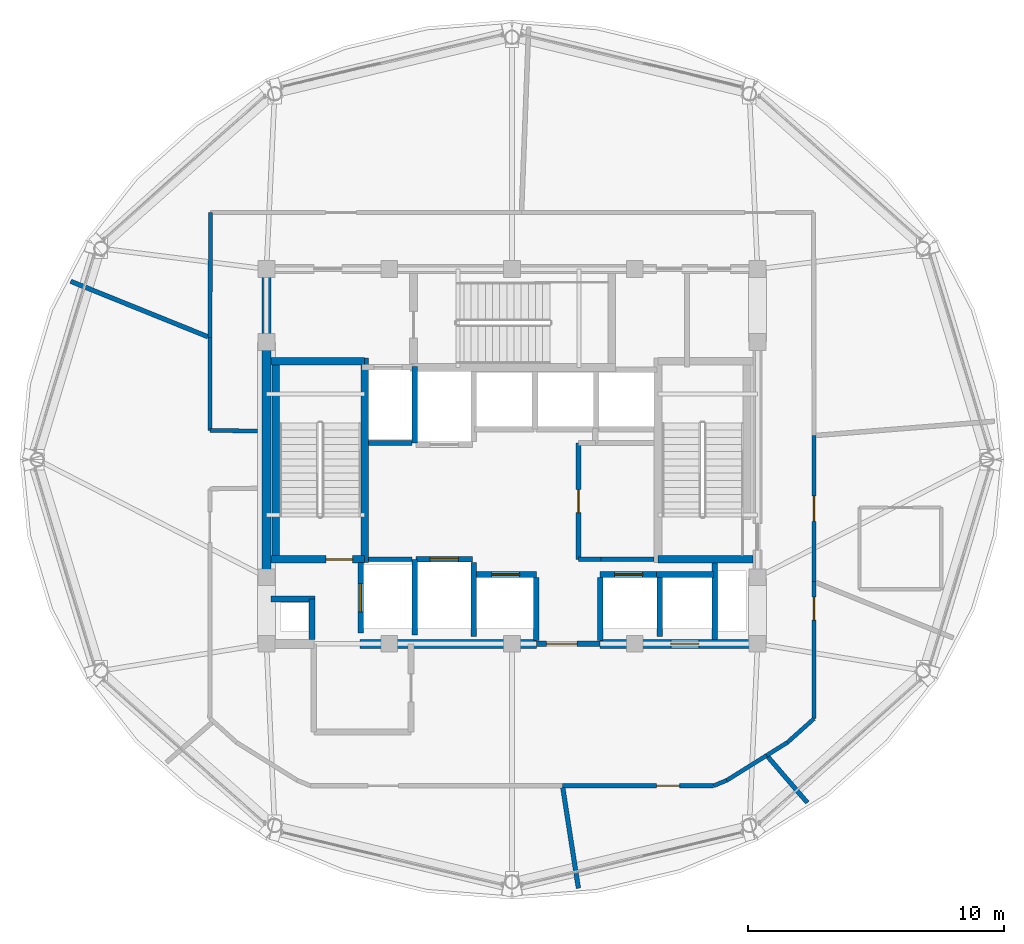
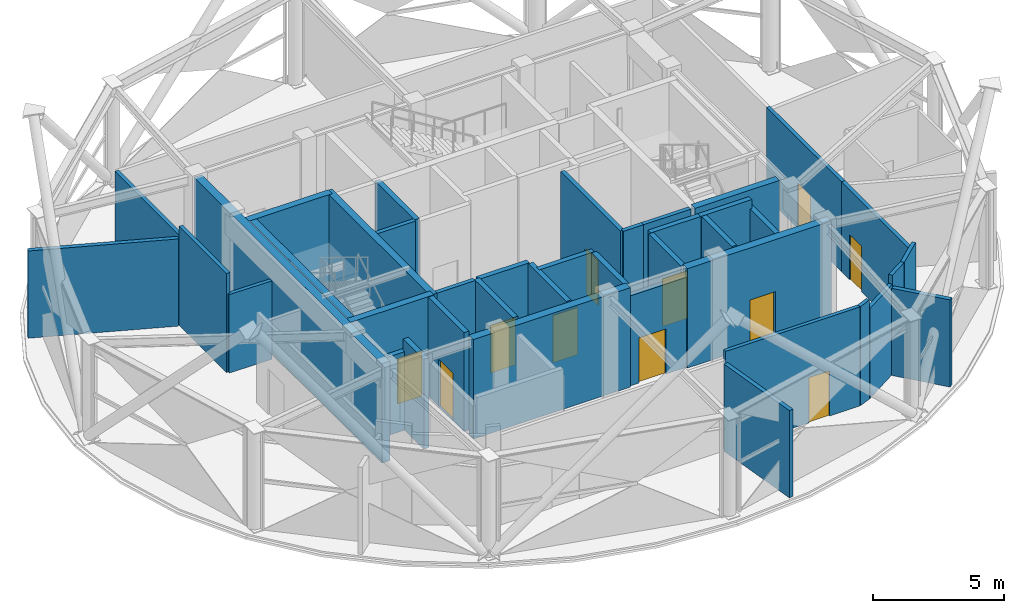
# One storey, part 21 of 27: 41 walls, 11 doors, 11 openings.
"""IFC4 building model written with IfcOpenShell, lengths in metres."""

import ifcopenshell
import ifcopenshell.guid

model = None  # the IFC model being written
_history = None  # IfcOwnerHistory: only IFC2X3 demands one
_inside = {}  # id of a spatial element -> (the spatial element, [elements in it])
_under = {}  # id of a project, library or spatial element -> (it, [spatial elements below it])
_declared = {}  # id of a project -> (the project, [libraries it declares])
_typed = {}  # id of a type object -> (the type object, [elements of that type])
_made_of = {}  # id of a material, layer set ... -> (it, [elements and type objects made of it])


def new_model(schema):
    """Start an empty IFC model of exactly this schema.

    Asked for "IFC4X3", IfcOpenShell would pick the latest addendum, in which some entities
    have other attributes; the version numbers below select the first issue.
    IFC2X3 requires an IfcOwnerHistory on every rooted entity: one is made here for all.
    """
    global model, _history
    if schema == "IFC4X3":
        model = ifcopenshell.file(schema_version=(4, 3, 0, 0))
    else:
        model = ifcopenshell.file(schema=schema)
    _inside.clear()
    _under.clear()
    _declared.clear()
    _typed.clear()
    _made_of.clear()
    _history = None
    if model.schema == "IFC2X3":
        org = make("IfcOrganization", Name="unknown")
        user = make(
            "IfcPersonAndOrganization",
            ThePerson=make("IfcPerson", FamilyName="unknown"),
            TheOrganization=org,
        )
        app = make(
            "IfcApplication",
            ApplicationDeveloper=org,
            Version="unknown",
            ApplicationFullName="unknown",
            ApplicationIdentifier="unknown",
        )
        _history = make(
            "IfcOwnerHistory",
            OwningUser=user,
            OwningApplication=app,
            ChangeAction="ADDED",
            CreationDate=0,
        )
    return model


def make(cls, **values):
    """One entity of the class cls with the attributes given. An attribute that is None is left unset."""
    return model.create_entity(
        cls, **{name: value for name, value in values.items() if value is not None}
    )


def rooted(cls, **values):
    """An entity with a GlobalId (a new one), such as an element, a storey or a relation."""
    return make(cls, GlobalId=ifcopenshell.guid.new(), OwnerHistory=_history, **values)


def si_unit(unit_type, name, prefix=None):
    """IfcSIUnit, for example si_unit("LENGTHUNIT", "METRE", prefix="MILLI")."""
    return make("IfcSIUnit", UnitType=unit_type, Prefix=prefix, Name=name)


def assignment(units):
    """IfcUnitAssignment: the units of a project."""
    return None if units is None else make("IfcUnitAssignment", Units=units)


def point(xyz):
    """IfcCartesianPoint."""
    return None if xyz is None else make("IfcCartesianPoint", Coordinates=xyz)


def direction(xyz):
    """IfcDirection."""
    return None if xyz is None else make("IfcDirection", DirectionRatios=xyz)


def frame(location, z_axis=None, x_axis=None):
    """IfcAxis2Placement3D, a coordinate frame: its origin and axes. An axis left out is left unset."""
    return make(
        "IfcAxis2Placement3D",
        Location=point(location),
        Axis=direction(z_axis),
        RefDirection=direction(x_axis),
    )


def frame_2d(location, x_axis=None):
    """IfcAxis2Placement2D, a coordinate frame in the plane: its origin and x axis."""
    return make(
        "IfcAxis2Placement2D", Location=point(location), RefDirection=direction(x_axis)
    )


def origin():
    """The frame at (0, 0, 0) with its axes left unset."""
    return frame((0.0, 0.0, 0.0))


def place(relative_to, where):
    """IfcLocalPlacement: puts the frame where relative to a parent placement (None: the world)."""
    return make(
        "IfcLocalPlacement", PlacementRelTo=relative_to, RelativePlacement=where
    )


def context(
    kind, dimensions, precision=None, world=None, true_north=None, identifier=None
):
    """IfcGeometricRepresentationContext, for example the 3D "Model" context."""
    return make(
        "IfcGeometricRepresentationContext",
        ContextIdentifier=identifier,
        ContextType=kind,
        CoordinateSpaceDimension=dimensions,
        Precision=precision,
        WorldCoordinateSystem=world,
        TrueNorth=true_north,
    )


def subcontext(parent, identifier, kind, view, scale=None):
    """IfcGeometricRepresentationSubContext, for example "Body" below "Model"."""
    return make(
        "IfcGeometricRepresentationSubContext",
        ContextIdentifier=identifier,
        ContextType=kind,
        ParentContext=parent,
        TargetScale=scale,
        TargetView=view,
    )


def project(units=None, contexts=None):
    """IfcProject with its units and contexts."""
    return rooted(
        "IfcProject",
        Name="project",
        RepresentationContexts=contexts,
        UnitsInContext=assignment(units),
    )


def spatial(cls, under=None, at=None, **own):
    """A site, building, storey or space (cls), placed at a placement, below another one or the project."""
    s = rooted(cls, ObjectPlacement=at, **own)
    if under is not None:
        _under.setdefault(under.id(), (under, []))[1].append(s)
    return s


def profile(cls, at=None, kind="AREA", **sizes):
    """A parametric profile (cls). Its sizes go by their IFC names, for example OverallWidth=200.0."""
    return make(cls, ProfileType=kind, Position=at, **sizes)


def rectangle(**sizes):
    """IfcRectangleProfileDef."""
    return profile("IfcRectangleProfileDef", **sizes)


def extrude(swept, where, along, depth):
    """IfcExtrudedAreaSolid: the profile swept, set in the frame where, extruded along a direction by depth."""
    return make(
        "IfcExtrudedAreaSolid",
        SweptArea=swept,
        Position=where,
        ExtrudedDirection=direction(along),
        Depth=depth,
    )


def shape(context_of_items, identifier, shape_type, items):
    """IfcShapeRepresentation: the items that make up one representation, for example the "Body"."""
    return make(
        "IfcShapeRepresentation",
        ContextOfItems=context_of_items,
        RepresentationIdentifier=identifier,
        RepresentationType=shape_type,
        Items=items,
    )


def material(Name=None, Category=None):
    """IfcMaterial."""
    return make("IfcMaterial", Name=Name, Category=Category)


def layer(
    of_material, thickness, ventilated=None, Name=None, Category=None, Priority=None
):
    """IfcMaterialLayer: one layer of a wall or slab, of a material (None: an air gap)."""
    return make(
        "IfcMaterialLayer",
        Material=of_material,
        LayerThickness=thickness,
        IsVentilated=ventilated,
        Name=Name,
        Category=Category,
        Priority=Priority,
    )


def layer_set(layers, Name=None):
    """IfcMaterialLayerSet."""
    return make("IfcMaterialLayerSet", MaterialLayers=layers, LayerSetName=Name)


def made_of(thing, what):
    """Note that an element or type object is made of a material, layer set ...; save() writes the relation."""
    if what is not None:
        _made_of.setdefault(what.id(), (what, []))[1].append(thing)
    return thing


def type_object(cls, material=None, **own):
    """A type object (cls), such as IfcWallType, which elements share."""
    return made_of(rooted(cls, **own), material)


def element(
    cls,
    number,
    at=None,
    inside=None,
    cuts=None,
    type_object=None,
    material=None,
    context=None,
    identifier="Body",
    shape_type=None,
    held_by="IfcProductDefinitionShape",
    body=None,
    shapes=None,
    **own,
):
    """One element of the class cls, such as IfcWall. Its Tag is "e" and its number.

    at: its placement. inside: the storey or other place that contains it. cuts: it is an
    opening in that element (IfcRelVoidsElement). A single representation is given by context,
    identifier, shape_type and body (its items); several are given by shapes. held_by: the class
    of the entity that holds the representations. save() writes the other relations.
    """
    e = rooted(cls, Tag="e%d" % number, ObjectPlacement=at, **own)
    if body is not None:
        shapes = [shape(context, identifier, shape_type, body)]
    if shapes is not None:
        e.Representation = make(held_by, Representations=shapes)
    if inside is not None:
        _inside.setdefault(inside.id(), (inside, []))[1].append(e)
    if cuts is not None:
        rooted(
            "IfcRelVoidsElement", RelatingBuildingElement=cuts, RelatedOpeningElement=e
        )
    if type_object is not None:
        _typed.setdefault(type_object.id(), (type_object, []))[1].append(e)
    return made_of(e, material)


def fill(opening, filler):
    """IfcRelFillsElement: the door or window that sits in an opening."""
    return rooted(
        "IfcRelFillsElement",
        RelatingOpeningElement=opening,
        RelatedBuildingElement=filler,
    )


def aggregate(whole, parts):
    """IfcRelAggregates: a whole, such as a stair, and the parts it consists of."""
    return rooted("IfcRelAggregates", RelatingObject=whole, RelatedObjects=parts)


def save(model, path):
    """Write the relations noted so far, then the file.

    IfcRelAggregates (storeys below a building ...), IfcRelContainedInSpatialStructure (elements
    in a storey), IfcRelDefinesByType, IfcRelAssociatesMaterial and IfcRelDeclares: one each for
    every whole, place, type object, material and project.
    """
    for whole, parts in _under.values():
        aggregate(whole, parts)
    for where, things in _inside.values():
        rooted(
            "IfcRelContainedInSpatialStructure",
            RelatedElements=things,
            RelatingStructure=where,
        )
    for kind, things in _typed.values():
        rooted("IfcRelDefinesByType", RelatedObjects=things, RelatingType=kind)
    for what, things in _made_of.values():
        rooted("IfcRelAssociatesMaterial", RelatedObjects=things, RelatingMaterial=what)
    for by, libraries in _declared.values():
        rooted("IfcRelDeclares", RelatingContext=by, RelatedDefinitions=libraries)
    model.write(path)


model = new_model("IFC4")

# Units and contexts
model_context = context("Model", 3, precision=1e-05, world=origin(), true_north=direction((0.0, 1.0)))
body_context = subcontext(model_context, "Body", "Model", "MODEL_VIEW")
ifc_project = project(units=[si_unit("LENGTHUNIT", "METRE"), si_unit("AREAUNIT", "SQUARE_METRE"), si_unit("VOLUMEUNIT", "CUBIC_METRE"), si_unit("PLANEANGLEUNIT", "RADIAN"), si_unit("MASSUNIT", "GRAM", prefix="KILO")], contexts=[model_context])

# Site, building, storey
site_placement = place(None, origin())
site = spatial("IfcSite", under=ifc_project, at=site_placement, CompositionType="ELEMENT")
building_placement = place(site_placement, origin())
building = spatial("IfcBuilding", under=site, at=building_placement, Name="Vantalir Tower", CompositionType="ELEMENT")
storey_placement = place(building_placement, frame((0.0, 0.0, 290.10009765625)))
storey = spatial("IfcBuildingStorey", under=building, at=storey_placement, Name="L73", CompositionType="ELEMENT", Elevation=290.10009765625)

# Wall
ifc_material_1 = material(Name="Concrete C50/60", Category="concrete")
ifc_layer_1 = layer(ifc_material_1, 0.35009765625)
ifc_layer_set_1 = layer_set([ifc_layer_1], Name="Concrete C50/60")
wall_type_1 = type_object("IfcWallType", Name="WL-CORE-350", PredefinedType="SHEAR", material=ifc_layer_set_1)
wall_1_placement = place(storey_placement, frame((25.550048828125, 17.800048828125, 0.0), z_axis=(0.0, 0.0, 1.0), x_axis=(1.0, 0.0, 0.0)))
element("IfcWall", 1, at=wall_1_placement, inside=storey, type_object=wall_type_1, Name="L73 Core Shear Wall South-Mid", PredefinedType="SHEAR", context=body_context, shape_type="SweptSolid", body=[
    extrude(rectangle(XDim=6.89990234375, YDim=0.35009765625, at=frame_2d((3.449951171875, 0.0))), origin(), (0.0, 0.0, 1.0), 4.619873046875),
])

# Wall, opening, door
wall_2_placement = place(storey_placement, frame((34.949951171875, 17.800048828125, 0.0), z_axis=(0.0, 0.0, 1.0), x_axis=(1.0, 0.0, 0.0)))
wall_2 = element("IfcWall", 2, at=wall_2_placement, inside=storey, type_object=wall_type_1, Name="L73 Core Shear Wall South-East", PredefinedType="SHEAR", context=body_context, shape_type="SweptSolid", body=[
    extrude(rectangle(XDim=6.324951171875, YDim=0.35009765625, at=frame_2d((3.16259765625, 0.0))), origin(), (0.0, 0.0, 1.0), 4.619873046875),
])
opening_1_placement = place(wall_2_placement, frame((2.760009765625, 0.0, 0.0)))
opening_1 = element("IfcOpeningElement", 3, at=opening_1_placement, cuts=wall_2, Name="Opening LD-PL-X2", PredefinedType="OPENING", context=body_context, shape_type="SweptSolid", body=[
    extrude(rectangle(XDim=1.10009765625, YDim=2.199951171875, at=frame_2d((0.550048828125, 1.10009765625))), frame((0.0, 0.18505859375, 0.0), z_axis=(0.0, -1.0, 0.0), x_axis=(1.0, 0.0, 0.0)), (0.0, 0.0, 1.0), 0.3701171875),
])
ifc_material_2 = material(Name="Brushed stainless-steel sliding lift landing door", Category="steel")
door_type_1 = type_object("IfcDoorType", Name="DR-LIFT-LANDING-1100", OperationType="DOUBLE_DOOR_SLIDING", PredefinedType="DOOR", material=ifc_material_2)
door_1_placement = place(opening_1_placement, frame((1.10009765625, 0.0, 0.0), z_axis=(0.0, 0.0, 1.0), x_axis=(-1.0, 0.0, 0.0)))
door_1 = element("IfcDoor", 4, at=door_1_placement, inside=storey, type_object=door_type_1, Name="L73 Express Shuttle Lift Landing Door PL-X2", OperationType="DOUBLE_DOOR_SLIDING", OverallHeight=2.199951171875, OverallWidth=1.10009765625, PredefinedType="DOOR", context=body_context, shape_type="SweptSolid", body=[
    extrude(rectangle(XDim=1.10009765625, YDim=2.199951171875, at=frame_2d((0.550048828125, 1.10009765625))), frame((0.0, 0.02490234375, 0.0), z_axis=(0.0, -1.0, 0.0), x_axis=(1.0, 0.0, 0.0)), (0.0, 0.0, 1.0), 0.050048828125),
])
fill(opening_1, door_1)

# Walls
wall_3_placement = place(storey_placement, frame((21.89990234375, 17.97509765625, 0.0), z_axis=(0.0, 0.0, 1.0), x_axis=(0.0, 1.0, 0.0)))
element("IfcWall", 5, at=wall_3_placement, inside=storey, type_object=wall_type_1, Name="L73 Core Shear Wall West", PredefinedType="SHEAR", context=body_context, shape_type="SweptSolid", body=[
    extrude(rectangle(XDim=14.2998046875, YDim=0.35009765625, at=frame_2d((7.14990234375, 0.0))), origin(), (0.0, 0.0, 1.0), 4.619873046875),
])
ifc_material_3 = material(Name="Fire-rated hotel corridor acoustic partition", Category="gypsum")
ifc_layer_2 = layer(ifc_material_3, 0.159912109375)
ifc_layer_set_2 = layer_set([ifc_layer_2], Name="Fire-rated hotel corridor acoustic partition")
wall_type_2 = type_object("IfcWallType", Name="WL-CORR-160", PredefinedType="PARTITIONING", material=ifc_layer_set_2)
wall_4_placement = place(storey_placement, frame((21.544921875, 26.116943359375, 0.0), z_axis=(0.0, 0.0, 1.0), x_axis=(-0.999908513059, 0.0135264745, 0.0)))
element("IfcWall", 6, at=wall_4_placement, inside=storey, type_object=wall_type_2, Name="L73 Corridor Partition 01", PredefinedType="PARTITIONING", context=body_context, shape_type="SweptSolid", body=[
    extrude(rectangle(XDim=1.859130859375, YDim=0.159912109375, at=frame_2d((0.9296875, 0.0))), origin(), (0.0, 0.0, 1.0), 3.64501953125),
])
wall_5_placement = place(storey_placement, frame((19.68603515625, 26.14208984375, 0.0), z_axis=(0.0, 0.0, 1.0), x_axis=(0.002759817169, 0.999996191697, 0.0)))
element("IfcWall", 7, at=wall_5_placement, inside=storey, type_object=wall_type_2, Name="L73 Corridor Partition 02", PredefinedType="PARTITIONING", context=body_context, shape_type="SweptSolid", body=[
    extrude(rectangle(XDim=3.626953125, YDim=0.159912109375, at=frame_2d((1.8134765625, 0.0))), origin(), (0.0, 0.0, 1.0), 4.599853515625),
])
wall_6_placement = place(storey_placement, frame((19.696044921875, 29.76904296875, 0.0), z_axis=(0.0, 0.0, 1.0), x_axis=(0.00284401604, 0.999995955778, 0.0)))
element("IfcWall", 8, at=wall_6_placement, inside=storey, type_object=wall_type_2, Name="L73 Corridor Partition 03", PredefinedType="PARTITIONING", context=body_context, shape_type="SweptSolid", body=[
    extrude(rectangle(XDim=4.89306640625, YDim=0.159912109375, at=frame_2d((2.446533203125, 0.0))), origin(), (0.0, 0.0, 1.0), 4.181884765625),
])

# Wall, opening, door
wall_7_placement = place(storey_placement, frame((43.301025390625, 25.93701171875, 0.0), z_axis=(0.0, 0.0, 1.0), x_axis=(0.000855578058, -0.999999633993, 0.0)))
wall_7 = element("IfcWall", 9, at=wall_7_placement, inside=storey, type_object=wall_type_2, Name="L73 Corridor Partition 07", PredefinedType="PARTITIONING", context=body_context, shape_type="SweptSolid", body=[
    extrude(rectangle(XDim=5.70703125, YDim=0.159912109375, at=frame_2d((2.853515625, 0.0))), origin(), (0.0, 0.0, 1.0), 4.181884765625),
])
opening_2_placement = place(wall_7_placement, frame((2.35400390625, 0.0, 0.0)))
opening_2 = element("IfcOpeningElement", 10, at=opening_2_placement, cuts=wall_7, Name="Opening D-GUEST", PredefinedType="OPENING", context=body_context, shape_type="SweptSolid", body=[
    extrude(rectangle(XDim=1.0, YDim=2.10009765625, at=frame_2d((0.5, 1.050048828125))), frame((0.0, 0.08984375, 0.0), z_axis=(0.0, -1.0, 0.0), x_axis=(1.0, 0.0, 0.0)), (0.0, 0.0, 1.0), 0.179931640625),
])
ifc_material_4 = material(Name="Solid-core teak veneer acoustic fire door", Category="wood")
door_type_2 = type_object("IfcDoorType", Name="DR-GUEST-ENTRY-1000", OperationType="NOTDEFINED", PredefinedType="DOOR", material=ifc_material_4)
door_2_placement = place(opening_2_placement, origin())
door_2 = element("IfcDoor", 11, at=door_2_placement, inside=storey, type_object=door_type_2, Name="L73 Sanitary Vestibule Door", OperationType="SINGLE_SWING_LEFT", OverallHeight=2.10009765625, OverallWidth=1.0, PredefinedType="DOOR", context=body_context, shape_type="SweptSolid", body=[
    extrude(rectangle(XDim=1.0, YDim=2.10009765625, at=frame_2d((0.5, 1.050048828125))), frame((0.0, 0.02490234375, 0.0), z_axis=(0.0, -1.0, 0.0), x_axis=(1.0, 0.0, 0.0)), (0.0, 0.0, 1.0), 0.050048828125),
])
fill(opening_2, door_2)

wall_8_placement = place(storey_placement, frame((43.305908203125, 20.22998046875, 0.0), z_axis=(0.0, 0.0, 1.0), x_axis=(0.0009575919, -0.999999541509, 0.0)))
wall_8 = element("IfcWall", 12, at=wall_8_placement, inside=storey, type_object=wall_type_2, Name="L73 Corridor Partition 08", PredefinedType="PARTITIONING", context=body_context, shape_type="SweptSolid", body=[
    extrude(rectangle(XDim=5.35400390625, YDim=0.159912109375, at=frame_2d((2.677001953125, 0.0))), origin(), (0.0, 0.0, 1.0), 4.181884765625),
])
opening_3_placement = place(wall_8_placement, frame((0.60302734375, 0.0, 0.0)))
opening_3 = element("IfcOpeningElement", 13, at=opening_3_placement, cuts=wall_8, Name="Opening D-WC", PredefinedType="OPENING", context=body_context, shape_type="SweptSolid", body=[
    extrude(rectangle(XDim=0.89990234375, YDim=2.10009765625, at=frame_2d((0.449951171875, 1.050048828125))), frame((0.0, 0.08984375, 0.0), z_axis=(0.0, -1.0, 0.0), x_axis=(1.0, 0.0, 0.0)), (0.0, 0.0, 1.0), 0.179931640625),
])
ifc_material_5 = material(Name="Moisture-resistant hardwood door", Category="wood")
door_type_3 = type_object("IfcDoorType", Name="DR-ENSUITE-900", OperationType="NOTDEFINED", PredefinedType="DOOR", material=ifc_material_5)
door_3_placement = place(opening_3_placement, origin())
door_3 = element("IfcDoor", 14, at=door_3_placement, inside=storey, type_object=door_type_3, Name="L73 Public Female WC Door", OperationType="SINGLE_SWING_RIGHT", OverallHeight=2.10009765625, OverallWidth=0.89990234375, PredefinedType="DOOR", context=body_context, shape_type="SweptSolid", body=[
    extrude(rectangle(XDim=0.89990234375, YDim=2.10009765625, at=frame_2d((0.449951171875, 1.050048828125))), frame((0.0, 0.02490234375, 0.0), z_axis=(0.0, -1.0, 0.0), x_axis=(1.0, 0.0, 0.0)), (0.0, 0.0, 1.0), 0.050048828125),
])
fill(opening_3, door_3)

# Walls
wall_9_placement = place(storey_placement, frame((43.31103515625, 14.8759765625, 0.0), z_axis=(0.0, 0.0, 1.0), x_axis=(-0.745044962334, -0.667014245801, 0.0)))
element("IfcWall", 15, at=wall_9_placement, inside=storey, type_object=wall_type_2, Name="L73 Corridor Partition 09", PredefinedType="PARTITIONING", context=body_context, shape_type="SweptSolid", body=[
    extrude(rectangle(XDim=1.398681640625, YDim=0.159912109375, at=frame_2d((0.69921875, 0.0))), origin(), (0.0, 0.0, 1.0), 4.599853515625),
])
wall_10_placement = place(storey_placement, frame((42.26904296875, 13.943115234375, 0.0), z_axis=(0.0, 0.0, 1.0), x_axis=(-0.84819882135, -0.529677977133, 0.0)))
element("IfcWall", 16, at=wall_10_placement, inside=storey, type_object=wall_type_2, Name="L73 Corridor Partition 10", PredefinedType="PARTITIONING", context=body_context, shape_type="SweptSolid", body=[
    extrude(rectangle(XDim=0.957275390625, YDim=0.159912109375, at=frame_2d((0.478515625, 0.0))), origin(), (0.0, 0.0, 1.0), 4.599853515625),
])
wall_11_placement = place(storey_placement, frame((41.45703125, 13.43603515625, 0.0), z_axis=(0.0, 0.0, 1.0), x_axis=(-0.847975863729, -0.530034842755, 0.0)))
element("IfcWall", 17, at=wall_11_placement, inside=storey, type_object=wall_type_2, Name="L73 Corridor Partition 11", PredefinedType="PARTITIONING", context=body_context, shape_type="SweptSolid", body=[
    extrude(rectangle(XDim=1.833740234375, YDim=0.159912109375, at=frame_2d((0.9169921875, 0.0))), origin(), (0.0, 0.0, 1.0), 4.181884765625),
])
wall_12_placement = place(storey_placement, frame((39.902099609375, 12.464111328125, 0.0), z_axis=(0.0, 0.0, 1.0), x_axis=(-0.923413213025, -0.383807292807, 0.0)))
element("IfcWall", 18, at=wall_12_placement, inside=storey, type_object=wall_type_2, Name="L73 Corridor Partition 12", PredefinedType="PARTITIONING", context=body_context, shape_type="SweptSolid", body=[
    extrude(rectangle(XDim=0.557861328125, YDim=0.159912109375, at=frame_2d((0.27880859375, 0.0))), origin(), (0.0, 0.0, 1.0), 4.599853515625),
])

# Wall, opening, door
wall_13_placement = place(storey_placement, frame((39.386962890625, 12.25, 0.0), z_axis=(0.0, 0.0, 1.0), x_axis=(-1.0, 0.0, 0.0)))
wall_13 = element("IfcWall", 19, at=wall_13_placement, inside=storey, type_object=wall_type_2, Name="L73 Corridor Partition 13", PredefinedType="PARTITIONING", context=body_context, shape_type="SweptSolid", body=[
    extrude(rectangle(XDim=5.911865234375, YDim=0.159912109375, at=frame_2d((2.9560546875, 0.0))), origin(), (0.0, 0.0, 1.0), 4.599853515625),
])
opening_4_placement = place(wall_13_placement, frame((1.3330078125, 0.0, 0.0)))
opening_4 = element("IfcOpeningElement", 20, at=opening_4_placement, cuts=wall_13, Name="Opening D-WC", PredefinedType="OPENING", context=body_context, shape_type="SweptSolid", body=[
    extrude(rectangle(XDim=0.89990234375, YDim=2.10009765625, at=frame_2d((0.449951171875, 1.050048828125))), frame((0.0, 0.08984375, 0.0), z_axis=(0.0, -1.0, 0.0), x_axis=(1.0, 0.0, 0.0)), (0.0, 0.0, 1.0), 0.179931640625),
])
door_4_placement = place(opening_4_placement, origin())
door_4 = element("IfcDoor", 21, at=door_4_placement, inside=storey, type_object=door_type_3, Name="L73 Public Male WC Door", OperationType="SINGLE_SWING_LEFT", OverallHeight=2.10009765625, OverallWidth=0.89990234375, PredefinedType="DOOR", context=body_context, shape_type="SweptSolid", body=[
    extrude(rectangle(XDim=0.89990234375, YDim=2.10009765625, at=frame_2d((0.449951171875, 1.050048828125))), frame((0.0, 0.02490234375, 0.0), z_axis=(0.0, -1.0, 0.0), x_axis=(1.0, 0.0, 0.0)), (0.0, 0.0, 1.0), 0.050048828125),
])
fill(opening_4, door_4)

# Walls
ifc_material_6 = material(Name="Concrete blockwork with fireboard lining", Category="masonry")
ifc_layer_3 = layer(ifc_material_6, 0.219970703125)
ifc_layer_set_3 = layer_set([ifc_layer_3], Name="Concrete blockwork with fireboard lining")
wall_type_3 = type_object("IfcWallType", Name="WL-FFL-220", PredefinedType="PARTITIONING", material=ifc_layer_set_3)
wall_14_placement = place(storey_placement, frame((30.0, 18.080078125, 0.0), z_axis=(0.0, 0.0, 1.0), x_axis=(0.0, 1.0, 0.0)))
element("IfcWall", 22, at=wall_14_placement, inside=storey, type_object=wall_type_3, Name="L73 Service Lift SV1 East Shaft Wall", PredefinedType="PARTITIONING", context=body_context, shape_type="SweptSolid", body=[
    extrude(rectangle(XDim=2.89990234375, YDim=0.219970703125, at=frame_2d((1.449951171875, 0.0))), origin(), (0.0, 0.0, 1.0), 4.594970703125),
])
for number, where, z_axis, x_axis, name in (
    (23, (32.449951171875, 17.919921875, 0.0), (0.0, 0.0, 1.0), (0.0, 1.0, 0.0), "L73 Shuttle Lift PL-X1 East Shaft Cheek"),
    (24, (34.949951171875, 17.919921875, 0.0), (0.0, 0.0, 1.0), (0.0, 1.0, 0.0), "L73 Shuttle Lift PL-X3 West Shaft Cheek"),
):
    element("IfcWall", number, at=place(storey_placement, frame(where, z_axis=z_axis, x_axis=x_axis)), inside=storey, type_object=wall_type_3, Name=name, PredefinedType="PARTITIONING", context=body_context, shape_type="SweptSolid", body=[
        extrude(rectangle(XDim=2.469970703125, YDim=0.219970703125, at=frame_2d((1.23486328125, 0.0))), origin(), (0.0, 0.0, 1.0), 4.594970703125),
    ])
wall_15_placement = place(storey_placement, frame((37.27490234375, 18.080078125, 0.0), z_axis=(0.0, 0.0, 1.0), x_axis=(0.0, 1.0, 0.0)))
element("IfcWall", 25, at=wall_15_placement, inside=storey, type_object=wall_type_3, Name="L73 Shuttle Lift PL-X2/X3 Shaft Divider", PredefinedType="PARTITIONING", context=body_context, shape_type="SweptSolid", body=[
    extrude(rectangle(XDim=2.309814453125, YDim=0.219970703125, at=frame_2d((1.15478515625, 0.0))), origin(), (0.0, 0.0, 1.0), 4.594970703125),
])

# Wall, opening, door
wall_16_placement = place(storey_placement, frame((32.449951171875, 17.800048828125, 0.0), z_axis=(0.0, 0.0, 1.0), x_axis=(1.0, 0.0, 0.0)))
wall_16 = element("IfcWall", 26, at=wall_16_placement, inside=storey, type_object=wall_type_3, Name="L73 Passenger Lift Lobby South Wall", PredefinedType="PARTITIONING", context=body_context, shape_type="SweptSolid", body=[
    extrude(rectangle(XDim=2.5, YDim=0.219970703125, at=frame_2d((1.25, 0.0))), origin(), (0.0, 0.0, 1.0), 4.181884765625),
])
opening_5_placement = place(wall_16_placement, frame((0.39990234375, 0.0, 0.0)))
opening_5 = element("IfcOpeningElement", 27, at=opening_5_placement, cuts=wall_16, Name="Opening D-STE", PredefinedType="OPENING", context=body_context, shape_type="SweptSolid", body=[
    extrude(rectangle(XDim=1.199951171875, YDim=2.10009765625, at=frame_2d((0.60009765625, 1.050048828125))), frame((0.0, 0.119873046875, 0.0), z_axis=(0.0, -1.0, 0.0), x_axis=(1.0, 0.0, 0.0)), (0.0, 0.0, 1.0), 0.239990234375),
])
ifc_material_7 = material(Name="Solid-core teak veneer suite entrance door", Category="wood")
door_type_4 = type_object("IfcDoorType", Name="DR-SUITE-ENTRY-1200", OperationType="NOTDEFINED", PredefinedType="DOOR", material=ifc_material_7)
door_5_placement = place(opening_5_placement, origin())
door_5 = element("IfcDoor", 28, at=door_5_placement, inside=storey, type_object=door_type_4, Name="L73 Passenger Lift Lobby Concourse Door", OperationType="SINGLE_SWING_RIGHT", OverallHeight=2.10009765625, OverallWidth=1.199951171875, PredefinedType="DOOR", context=body_context, shape_type="SweptSolid", body=[
    extrude(rectangle(XDim=1.199951171875, YDim=2.10009765625, at=frame_2d((0.60009765625, 1.050048828125))), frame((0.0, 0.02490234375, 0.0), z_axis=(0.0, -1.0, 0.0), x_axis=(1.0, 0.0, 0.0)), (0.0, 0.0, 1.0), 0.050048828125),
])
fill(opening_5, door_5)

# Walls
wall_17_placement = place(storey_placement, frame((23.679931640625, 17.97509765625, 0.0), z_axis=(0.0, 0.0, 1.0), x_axis=(0.0, 1.0, 0.0)))
element("IfcWall", 29, at=wall_17_placement, inside=storey, type_object=wall_type_3, Name="L73 West MEP Riser Wall E", PredefinedType="PARTITIONING", context=body_context, shape_type="SweptSolid", body=[
    extrude(rectangle(XDim=1.574951171875, YDim=0.219970703125, at=frame_2d((0.78759765625, 0.0))), origin(), (0.0, 0.0, 1.0), 4.181884765625),
])
wall_18_placement = place(storey_placement, frame((22.074951171875, 19.550048828125, 0.0), z_axis=(0.0, 0.0, 1.0), x_axis=(1.0, 0.0, 0.0)))
element("IfcWall", 30, at=wall_18_placement, inside=storey, type_object=wall_type_3, Name="L73 West MEP Riser Wall N", PredefinedType="PARTITIONING", context=body_context, shape_type="SweptSolid", body=[
    extrude(rectangle(XDim=1.715087890625, YDim=0.219970703125, at=frame_2d((0.857421875, 0.0))), origin(), (0.0, 0.0, 1.0), 3.64501953125),
])
wall_19_placement = place(storey_placement, frame((39.419921875, 17.97509765625, 0.0), z_axis=(0.0, 0.0, 1.0), x_axis=(0.0, 1.0, 0.0)))
element("IfcWall", 31, at=wall_19_placement, inside=storey, type_object=wall_type_3, Name="L73 East MEP Riser Wall W", PredefinedType="PARTITIONING", context=body_context, shape_type="SweptSolid", body=[
    extrude(rectangle(XDim=2.974853515625, YDim=0.219970703125, at=frame_2d((1.4873046875, 0.0))), origin(), (0.0, 0.0, 1.0), 4.181884765625),
])

# Wall, opening, door
wall_20_placement = place(storey_placement, frame((25.590087890625, 18.219970703125, 0.0), z_axis=(0.0, 0.0, 1.0), x_axis=(0.0, 1.0, 0.0)))
wall_20 = element("IfcWall", 32, at=wall_20_placement, inside=storey, type_object=wall_type_3, Name="L73 Lift FL1 Shaft Front Wall", PredefinedType="PARTITIONING", context=body_context, shape_type="SweptSolid", body=[
    extrude(rectangle(XDim=2.760009765625, YDim=0.219970703125, at=frame_2d((1.3798828125, 0.0))), origin(), (0.0, 0.0, 1.0), 4.599853515625),
])
opening_6_placement = place(wall_20_placement, frame((0.830078125, 0.0, 0.0)))
opening_6 = element("IfcOpeningElement", 33, at=opening_6_placement, cuts=wall_20, Name="Opening LD-FL1", PredefinedType="OPENING", context=body_context, shape_type="SweptSolid", body=[
    extrude(rectangle(XDim=1.10009765625, YDim=2.199951171875, at=frame_2d((0.550048828125, 1.10009765625))), frame((0.0, 0.119873046875, 0.0), z_axis=(0.0, -1.0, 0.0), x_axis=(1.0, 0.0, 0.0)), (0.0, 0.0, 1.0), 0.239990234375),
])
door_6_placement = place(opening_6_placement, origin())
door_6 = element("IfcDoor", 34, at=door_6_placement, inside=storey, type_object=door_type_1, Name="L73 Lift Landing Door FL1", OperationType="DOUBLE_DOOR_SLIDING", OverallHeight=2.199951171875, OverallWidth=1.10009765625, PredefinedType="DOOR", context=body_context, shape_type="SweptSolid", body=[
    extrude(rectangle(XDim=1.10009765625, YDim=2.199951171875, at=frame_2d((0.550048828125, 1.10009765625))), frame((0.0, 0.02490234375, 0.0), z_axis=(0.0, -1.0, 0.0), x_axis=(1.0, 0.0, 0.0)), (0.0, 0.0, 1.0), 0.050048828125),
])
fill(opening_6, door_6)

wall_21_placement = place(storey_placement, frame((27.739990234375, 21.110107421875, 0.0), z_axis=(0.0, 0.0, 1.0), x_axis=(1.0, 0.0, 0.0)))
wall_21 = element("IfcWall", 35, at=wall_21_placement, inside=storey, type_object=wall_type_3, Name="L73 Lift SV1 Shaft Front Wall", PredefinedType="PARTITIONING", context=body_context, shape_type="SweptSolid", body=[
    extrude(rectangle(XDim=2.219970703125, YDim=0.219970703125, at=frame_2d((1.10986328125, 0.0))), origin(), (0.0, 0.0, 1.0), 4.599853515625),
])
opening_7_placement = place(wall_21_placement, frame((0.56005859375, 0.0, 0.0)))
opening_7 = element("IfcOpeningElement", 36, at=opening_7_placement, cuts=wall_21, Name="Opening LD-SV1", PredefinedType="OPENING", context=body_context, shape_type="SweptSolid", body=[
    extrude(rectangle(XDim=1.10009765625, YDim=2.199951171875, at=frame_2d((0.550048828125, 1.10009765625))), frame((0.0, 0.119873046875, 0.0), z_axis=(0.0, -1.0, 0.0), x_axis=(1.0, 0.0, 0.0)), (0.0, 0.0, 1.0), 0.239990234375),
])
door_7_placement = place(opening_7_placement, origin())
door_7 = element("IfcDoor", 37, at=door_7_placement, inside=storey, type_object=door_type_1, Name="L73 Lift Landing Door SV1", OperationType="DOUBLE_DOOR_SLIDING", OverallHeight=2.199951171875, OverallWidth=1.10009765625, PredefinedType="DOOR", context=body_context, shape_type="SweptSolid", body=[
    extrude(rectangle(XDim=1.10009765625, YDim=2.199951171875, at=frame_2d((0.550048828125, 1.10009765625))), frame((0.0, 0.02490234375, 0.0), z_axis=(0.0, -1.0, 0.0), x_axis=(1.0, 0.0, 0.0)), (0.0, 0.0, 1.0), 0.050048828125),
])
fill(opening_7, door_7)

wall_22_placement = place(storey_placement, frame((30.0400390625, 20.510009765625, 0.0), z_axis=(0.0, 0.0, 1.0), x_axis=(1.0, 0.0, 0.0)))
wall_22 = element("IfcWall", 38, at=wall_22_placement, inside=storey, type_object=wall_type_3, Name="L73 Lift PL-X1 Shaft Front Wall", PredefinedType="PARTITIONING", context=body_context, shape_type="SweptSolid", body=[
    extrude(rectangle(XDim=2.419921875, YDim=0.219970703125, at=frame_2d((1.2099609375, 0.0))), origin(), (0.0, 0.0, 1.0), 4.599853515625),
])
opening_8_placement = place(wall_22_placement, frame((0.659912109375, 0.0, 0.0)))
opening_8 = element("IfcOpeningElement", 39, at=opening_8_placement, cuts=wall_22, Name="Opening LD-PL-X1", PredefinedType="OPENING", context=body_context, shape_type="SweptSolid", body=[
    extrude(rectangle(XDim=1.10009765625, YDim=2.199951171875, at=frame_2d((0.550048828125, 1.10009765625))), frame((0.0, 0.119873046875, 0.0), z_axis=(0.0, -1.0, 0.0), x_axis=(1.0, 0.0, 0.0)), (0.0, 0.0, 1.0), 0.239990234375),
])
door_8_placement = place(opening_8_placement, origin())
door_8 = element("IfcDoor", 40, at=door_8_placement, inside=storey, type_object=door_type_1, Name="L73 Lift Landing Door PL-X1", OperationType="DOUBLE_DOOR_SLIDING", OverallHeight=2.199951171875, OverallWidth=1.10009765625, PredefinedType="DOOR", context=body_context, shape_type="SweptSolid", body=[
    extrude(rectangle(XDim=1.10009765625, YDim=2.199951171875, at=frame_2d((0.550048828125, 1.10009765625))), frame((0.0, 0.02490234375, 0.0), z_axis=(0.0, -1.0, 0.0), x_axis=(1.0, 0.0, 0.0)), (0.0, 0.0, 1.0), 0.050048828125),
])
fill(opening_8, door_8)

# Wall
wall_23_placement = place(storey_placement, frame((37.139892578125, 20.510009765625, 0.0), z_axis=(0.0, 0.0, 1.0), x_axis=(1.0, 0.0, 0.0)))
element("IfcWall", 41, at=wall_23_placement, inside=storey, type_object=wall_type_3, Name="L73 Lift PL-X2 Shaft Rear Wall", PredefinedType="PARTITIONING", context=body_context, shape_type="SweptSolid", body=[
    extrude(rectangle(XDim=2.239990234375, YDim=0.219970703125, at=frame_2d((1.1201171875, 0.0))), origin(), (0.0, 0.0, 1.0), 4.599853515625),
])

# Wall, opening, door
wall_24_placement = place(storey_placement, frame((34.93994140625, 20.510009765625, 0.0), z_axis=(0.0, 0.0, 1.0), x_axis=(1.0, 0.0, 0.0)))
wall_24 = element("IfcWall", 42, at=wall_24_placement, inside=storey, type_object=wall_type_3, Name="L73 Lift PL-X3 Shaft Front Wall", PredefinedType="PARTITIONING", context=body_context, shape_type="SweptSolid", body=[
    extrude(rectangle(XDim=2.239990234375, YDim=0.219970703125, at=frame_2d((1.1201171875, 0.0))), origin(), (0.0, 0.0, 1.0), 4.599853515625),
])
opening_9_placement = place(wall_24_placement, frame((0.570068359375, 0.0, 0.0)))
opening_9 = element("IfcOpeningElement", 43, at=opening_9_placement, cuts=wall_24, Name="Opening LD-PL-X3", PredefinedType="OPENING", context=body_context, shape_type="SweptSolid", body=[
    extrude(rectangle(XDim=1.10009765625, YDim=2.199951171875, at=frame_2d((0.550048828125, 1.10009765625))), frame((0.0, 0.119873046875, 0.0), z_axis=(0.0, -1.0, 0.0), x_axis=(1.0, 0.0, 0.0)), (0.0, 0.0, 1.0), 0.239990234375),
])
door_9_placement = place(opening_9_placement, origin())
door_9 = element("IfcDoor", 44, at=door_9_placement, inside=storey, type_object=door_type_1, Name="L73 Lift Landing Door PL-X3", OperationType="DOUBLE_DOOR_SLIDING", OverallHeight=2.199951171875, OverallWidth=1.10009765625, PredefinedType="DOOR", context=body_context, shape_type="SweptSolid", body=[
    extrude(rectangle(XDim=1.10009765625, YDim=2.199951171875, at=frame_2d((0.550048828125, 1.10009765625))), frame((0.0, 0.02490234375, 0.0), z_axis=(0.0, -1.0, 0.0), x_axis=(1.0, 0.0, 0.0)), (0.0, 0.0, 1.0), 0.050048828125),
])
fill(opening_9, door_9)

# Walls
wall_25_placement = place(storey_placement, frame((27.699951171875, 18.14990234375, 0.0), z_axis=(0.0, 0.0, 1.0), x_axis=(0.0, 1.0, 0.0)))
element("IfcWall", 45, at=wall_25_placement, inside=storey, type_object=wall_type_3, Name="L73 Fire Lift FL1 Dividing Wall", PredefinedType="PARTITIONING", context=body_context, shape_type="SweptSolid", body=[
    extrude(rectangle(XDim=2.9501953125, YDim=0.219970703125, at=frame_2d((1.47509765625, 0.0))), origin(), (0.0, 0.0, 1.0), 4.599853515625),
])
wall_26_placement = place(storey_placement, frame((27.699951171875, 25.64990234375, 0.0), z_axis=(0.0, 0.0, 1.0), x_axis=(0.0, 1.0, 0.0)))
element("IfcWall", 46, at=wall_26_placement, inside=storey, type_object=wall_type_3, Name="L73 Fire Lift FL2 Dividing Wall", PredefinedType="PARTITIONING", context=body_context, shape_type="SweptSolid", body=[
    extrude(rectangle(XDim=3.0, YDim=0.219970703125, at=frame_2d((1.5, 0.0))), origin(), (0.0, 0.0, 1.0), 4.599853515625),
])
ifc_material_8 = material(Name="Twin-stud acoustic fire-rated gypsum partition", Category="gypsum")
ifc_layer_4 = layer(ifc_material_8, 0.179931640625)
ifc_layer_set_4 = layer_set([ifc_layer_4], Name="Twin-stud acoustic fire-rated gypsum partition")
wall_type_4 = type_object("IfcWallType", Name="WL-GUEST-180", PredefinedType="PARTITIONING", material=ifc_layer_set_4)
for number, where, z_axis, x_axis, name in (
    (47, (25.889892578125, 21.10009765625, 0.0), (0.0, 0.0, 1.0), (1.0, 0.0, 0.0), "L73 Freed West Core South Wall"),
    (48, (25.889892578125, 25.64990234375, 0.0), (0.0, 0.0, 1.0), (1.0, 0.0, 0.0), "L73 Freed West Core North Wall"),
):
    element("IfcWall", number, at=place(storey_placement, frame(where, z_axis=z_axis, x_axis=x_axis)), inside=storey, type_object=wall_type_4, Name=name, PredefinedType="PARTITIONING", context=body_context, shape_type="SweptSolid", body=[
        extrude(rectangle(XDim=1.7001953125, YDim=0.179931640625, at=frame_2d((0.85009765625, 0.0))), origin(), (0.0, 0.0, 1.0), 4.599853515625),
    ])
wall_27_placement = place(storey_placement, frame((34.97998046875, 21.10009765625, 0.0), z_axis=(0.0, 0.0, 1.0), x_axis=(1.0, 0.0, 0.0)))
element("IfcWall", 49, at=wall_27_placement, inside=storey, type_object=wall_type_4, Name="L73 Freed East Core South Wall", PredefinedType="PARTITIONING", context=body_context, shape_type="SweptSolid", body=[
    extrude(rectangle(XDim=2.080078125, YDim=0.179931640625, at=frame_2d((1.0400390625, 0.0))), origin(), (0.0, 0.0, 1.0), 4.599853515625),
])
wall_28_placement = place(storey_placement, frame((34.10009765625, 21.10009765625, 0.0), z_axis=(0.0, 0.0, 1.0), x_axis=(1.0, 0.0, 0.0)))
element("IfcWall", 50, at=wall_28_placement, inside=storey, type_object=wall_type_4, Name="L73 East Core Room South Return", PredefinedType="PARTITIONING", context=body_context, shape_type="SweptSolid", body=[
    extrude(rectangle(XDim=0.8798828125, YDim=0.179931640625, at=frame_2d((0.43994140625, 0.0))), origin(), (0.0, 0.0, 1.0), 4.599853515625),
])

# Wall, opening, door
wall_29_placement = place(storey_placement, frame((34.10009765625, 21.10009765625, 0.0), z_axis=(0.0, 0.0, 1.0), x_axis=(0.0, 1.0, 0.0)))
wall_29 = element("IfcWall", 51, at=wall_29_placement, inside=storey, type_object=wall_type_4, Name="L73 East Core Room West Wall", PredefinedType="PARTITIONING", context=body_context, shape_type="SweptSolid", body=[
    extrude(rectangle(XDim=4.5498046875, YDim=0.179931640625, at=frame_2d((2.27490234375, 0.0))), origin(), (0.0, 0.0, 1.0), 4.599853515625),
])
opening_10_placement = place(wall_29_placement, frame((1.824951171875, 0.0, 0.0)))
opening_10 = element("IfcOpeningElement", 52, at=opening_10_placement, cuts=wall_29, Name="Opening D-CR", PredefinedType="OPENING", context=body_context, shape_type="SweptSolid", body=[
    extrude(rectangle(XDim=0.89990234375, YDim=2.10009765625, at=frame_2d((0.449951171875, 1.050048828125))), frame((0.0, 0.099853515625, 0.0), z_axis=(0.0, -1.0, 0.0), x_axis=(1.0, 0.0, 0.0)), (0.0, 0.0, 1.0), 0.199951171875),
])
ifc_material_9 = material(Name="Fire-rated steel core service door", Category="steel")
door_type_5 = type_object("IfcDoorType", Name="DR-CORE-SERV-900", OperationType="NOTDEFINED", PredefinedType="DOOR", material=ifc_material_9)
door_10_placement = place(opening_10_placement, frame((0.89990234375, 0.0, 0.0), z_axis=(0.0, 0.0, 1.0), x_axis=(-1.0, 0.0, 0.0)))
door_10 = element("IfcDoor", 53, at=door_10_placement, inside=storey, type_object=door_type_5, Name="L73 Core Linen Store Door", OperationType="SINGLE_SWING_LEFT", OverallHeight=2.10009765625, OverallWidth=0.89990234375, PredefinedType="DOOR", context=body_context, shape_type="SweptSolid", body=[
    extrude(rectangle(XDim=0.89990234375, YDim=2.10009765625, at=frame_2d((0.449951171875, 1.050048828125))), frame((0.0, 0.02490234375, 0.0), z_axis=(0.0, -1.0, 0.0), x_axis=(1.0, 0.0, 0.0)), (0.0, 0.0, 1.0), 0.050048828125),
])
fill(opening_10, door_10)

# Walls
wall_30_placement = place(storey_placement, frame((19.610107421875, 29.803955078125, 0.0), z_axis=(0.0, 0.0, 1.0), x_axis=(-0.927231408347, 0.374488872165, 0.0)))
element("IfcWall", 54, at=wall_30_placement, inside=storey, type_object=wall_type_4, Name="L73 Radial Suite Partition 03", PredefinedType="PARTITIONING", context=body_context, shape_type="SweptSolid", body=[
    extrude(rectangle(XDim=5.783935546875, YDim=0.179931640625, at=frame_2d((2.89208984375, 0.0))), origin(), (0.0, 0.0, 1.0), 4.052978515625),
])
wall_31_placement = place(storey_placement, frame((33.486083984375, 12.175048828125, 0.0), z_axis=(0.0, 0.0, 1.0), x_axis=(0.153190716951, -0.988196642496, 0.0)))
element("IfcWall", 55, at=wall_31_placement, inside=storey, type_object=wall_type_4, Name="L73 Radial Suite Partition 05", PredefinedType="PARTITIONING", context=body_context, shape_type="SweptSolid", body=[
    extrude(rectangle(XDim=3.98095703125, YDim=0.179931640625, at=frame_2d((1.990478515625, 0.0))), origin(), (0.0, 0.0, 1.0), 4.052978515625),
])
wall_32_placement = place(storey_placement, frame((41.507080078125, 13.3779296875, 0.0), z_axis=(0.0, 0.0, 1.0), x_axis=(0.652424209535, -0.757853977236, 0.0)))
element("IfcWall", 56, at=wall_32_placement, inside=storey, type_object=wall_type_4, Name="L73 Radial Suite Partition 06", PredefinedType="PARTITIONING", context=body_context, shape_type="SweptSolid", body=[
    extrude(rectangle(XDim=2.362060546875, YDim=0.179931640625, at=frame_2d((1.18115234375, 0.0))), origin(), (0.0, 0.0, 1.0), 4.052978515625),
])

# Wall, opening, door
ifc_layer_5 = layer(ifc_material_1, 0.300048828125)
ifc_layer_set_5 = layer_set([ifc_layer_5], Name="Concrete C50/60")
wall_type_5 = type_object("IfcWallType", Name="WL-STAIR-300", PredefinedType="SHEAR", material=ifc_layer_set_5)
wall_33_placement = place(storey_placement, frame((22.074951171875, 21.10009765625, 0.0), z_axis=(0.0, 0.0, 1.0), x_axis=(1.0, 0.0, 0.0)))
wall_33 = element("IfcWall", 57, at=wall_33_placement, inside=storey, type_object=wall_type_5, Name="L73 Stair ST1 South Wall", PredefinedType="SHEAR", context=body_context, shape_type="SweptSolid", body=[
    extrude(rectangle(XDim=3.6650390625, YDim=0.300048828125, at=frame_2d((1.83251953125, 0.0))), origin(), (0.0, 0.0, 1.0), 4.619873046875),
])
opening_11_placement = place(wall_33_placement, frame((2.14501953125, 0.0, 0.0)))
opening_11 = element("IfcOpeningElement", 58, at=opening_11_placement, cuts=wall_33, Name="Opening D-ST", PredefinedType="OPENING", context=body_context, shape_type="SweptSolid", body=[
    extrude(rectangle(XDim=1.050048828125, YDim=2.10009765625, at=frame_2d((0.52490234375, 1.050048828125))), frame((0.0, 0.159912109375, 0.0), z_axis=(0.0, -1.0, 0.0), x_axis=(1.0, 0.0, 0.0)), (0.0, 0.0, 1.0), 0.320068359375),
])
ifc_material_10 = material(Name="Fire-rated steel door leaf", Category="steel")
door_type_6 = type_object("IfcDoorType", Name="DR-FIRE-STAIR-1050", OperationType="NOTDEFINED", PredefinedType="DOOR", material=ifc_material_10)
door_11_placement = place(opening_11_placement, origin())
door_11 = element("IfcDoor", 59, at=door_11_placement, inside=storey, type_object=door_type_6, Name="L73 Exit Stair ST1 Fire Door", OperationType="SINGLE_SWING_RIGHT", OverallHeight=2.10009765625, OverallWidth=1.050048828125, PredefinedType="DOOR", context=body_context, shape_type="SweptSolid", body=[
    extrude(rectangle(XDim=1.050048828125, YDim=2.10009765625, at=frame_2d((0.52490234375, 1.050048828125))), frame((0.0, 0.02490234375, 0.0), z_axis=(0.0, -1.0, 0.0), x_axis=(1.0, 0.0, 0.0)), (0.0, 0.0, 1.0), 0.050048828125),
])
fill(opening_11, door_11)

# Walls
wall_34_placement = place(storey_placement, frame((22.074951171875, 28.85009765625, 0.0), z_axis=(0.0, 0.0, 1.0), x_axis=(1.0, 0.0, 0.0)))
element("IfcWall", 60, at=wall_34_placement, inside=storey, type_object=wall_type_5, Name="L73 Stair ST1 North Wall", PredefinedType="SHEAR", context=body_context, shape_type="SweptSolid", body=[
    extrude(rectangle(XDim=3.6650390625, YDim=0.300048828125, at=frame_2d((1.83251953125, 0.0))), origin(), (0.0, 0.0, 1.0), 4.619873046875),
])
wall_35_placement = place(storey_placement, frame((25.739990234375, 20.97998046875, 0.0), z_axis=(0.0, 0.0, 1.0), x_axis=(0.0, 1.0, 0.0)))
element("IfcWall", 61, at=wall_35_placement, inside=storey, type_object=wall_type_5, Name="L73 Stair ST1 East Wall", PredefinedType="SHEAR", context=body_context, shape_type="SweptSolid", body=[
    extrude(rectangle(XDim=7.989990234375, YDim=0.300048828125, at=frame_2d((3.9951171875, 0.0))), origin(), (0.0, 0.0, 1.0), 4.619873046875),
])
wall_36_placement = place(storey_placement, frame((22.260009765625, 21.10009765625, 0.0), z_axis=(0.0, 0.0, 1.0), x_axis=(0.0, 1.0, 0.0)))
element("IfcWall", 62, at=wall_36_placement, inside=storey, type_object=wall_type_5, Name="L73 Stair ST1 West Liner Wall", PredefinedType="SHEAR", context=body_context, shape_type="SweptSolid", body=[
    extrude(rectangle(XDim=7.75, YDim=0.300048828125, at=frame_2d((3.875, 0.0))), origin(), (0.0, 0.0, 1.0), 4.619873046875),
])
wall_37_placement = place(storey_placement, frame((37.2099609375, 21.10009765625, 0.0), z_axis=(0.0, 0.0, 1.0), x_axis=(1.0, 0.0, 0.0)))
element("IfcWall", 63, at=wall_37_placement, inside=storey, type_object=wall_type_5, Name="L73 Stair ST2 South Wall", PredefinedType="SHEAR", context=body_context, shape_type="SweptSolid", body=[
    extrude(rectangle(XDim=3.715087890625, YDim=0.300048828125, at=frame_2d((1.857421875, 0.0))), origin(), (0.0, 0.0, 1.0), 4.619873046875),
])

save(model, "model.ifc")
